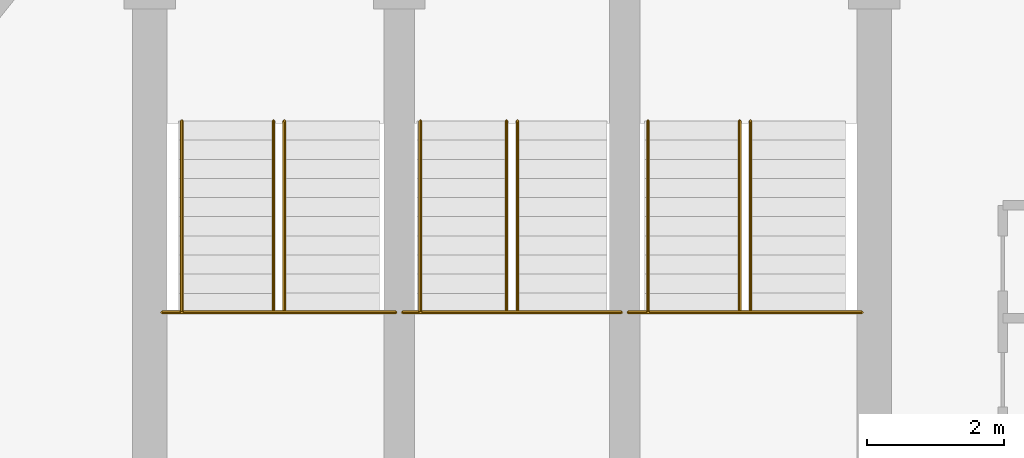
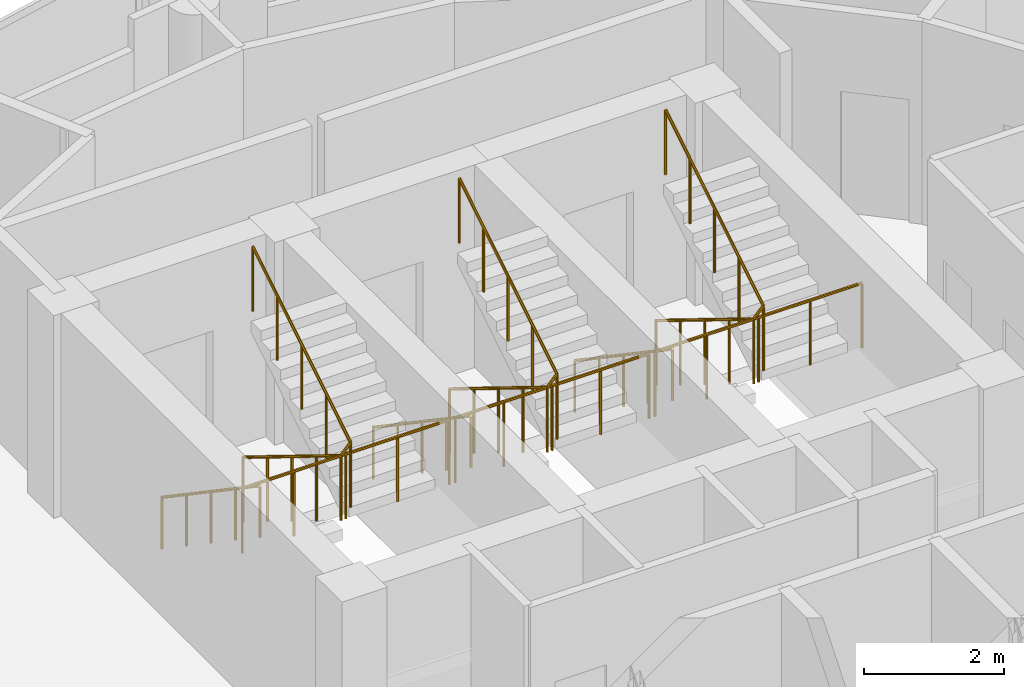
# One storey, part 24 of 24: 9 railings.
"""IFC4 building model written with IfcOpenShell, lengths in metres."""

from ifc_helpers import new_model, si_unit, direction, frame, origin, place, context, subcontext, project, spatial, polyline, outline, extrude, material, type_object, element, save


model = new_model("IFC4")

# Units and contexts
model_context = context("Model", 3, precision=1e-05, world=origin(), true_north=direction((0.0, 1.0)))
body_context = subcontext(model_context, "Body", "Model", "MODEL_VIEW")
ifc_project = project(units=[si_unit("LENGTHUNIT", "METRE"), si_unit("AREAUNIT", "SQUARE_METRE"), si_unit("VOLUMEUNIT", "CUBIC_METRE"), si_unit("PLANEANGLEUNIT", "RADIAN"), si_unit("MASSUNIT", "GRAM", prefix="KILO")], contexts=[model_context])

# Site, building, storey
site_placement = place(None, origin())
site = spatial("IfcSite", under=ifc_project, at=site_placement, CompositionType="ELEMENT")
building_placement = place(site_placement, origin())
building = spatial("IfcBuilding", under=site, at=building_placement, Name="Nuhasar Tower", CompositionType="ELEMENT")
storey_placement = place(building_placement, frame((0.0, 0.0, 259.39990234375)))
storey = spatial("IfcBuildingStorey", under=building, at=storey_placement, Name="L64", CompositionType="ELEMENT", Elevation=259.39990234375)

# Railings
ifc_material_1 = material(Name="Steel S355", Category="steel")
railing_type_1 = type_object("IfcRailingType", Name="RLG-STAIR-GUARD-1150", PredefinedType="GUARDRAIL", material=ifc_material_1)
railing_1_placement = place(storey_placement, frame((33.8798828125, 32.485107421875, 1.900146484375)))
element("IfcRailing", 1, at=railing_1_placement, inside=storey, type_object=railing_type_1, Name="L64 Stair ST-01 Guardrail LND", PredefinedType="GUARDRAIL", context=body_context, shape_type="SweptSolid", body=[
    extrude(outline(polyline([(0.024169921875, 0.0), (0.01708984375, 0.01708984375), (0.0, 0.024169921875), (-0.01708984375, 0.01708984375), (-0.024169921875, 0.0), (-0.01708984375, -0.01708984375), (0.0, -0.024169921875), (0.01708984375, -0.01708984375), (0.024169921875, 0.0)])), frame((0.0, 0.0, 1.1259765625), z_axis=(1.0, 0.0, 0.0), x_axis=(0.0, 1.0, 0.0)), (0.0, 0.0, 1.0), 3.420166015625),
    extrude(outline(polyline([(0.02099609375, 0.0), (0.014892578125, 0.014892578125), (0.0, 0.02099609375), (-0.014892578125, 0.014892578125), (-0.02099609375, 0.0), (-0.014892578125, -0.014892578125), (0.0, -0.02099609375), (0.014892578125, -0.014892578125), (0.02099609375, 0.0)])), origin(), (0.0, 0.0, 1.0), 1.101806640625),
    extrude(outline(polyline([(0.02099609375, 0.0), (0.014892578125, 0.014892578125), (0.0, 0.02099609375), (-0.014892578125, 0.014892578125), (-0.02099609375, 0.0), (-0.014892578125, -0.014892578125), (0.0, -0.02099609375), (0.014892578125, -0.014892578125), (0.02099609375, 0.0)])), frame((0.85498046875, 0.0, 0.0)), (0.0, 0.0, 1.0), 1.101806640625),
    extrude(outline(polyline([(0.02099609375, 0.0), (0.014892578125, 0.014892578125), (0.0, 0.02099609375), (-0.014892578125, 0.014892578125), (-0.02099609375, 0.0), (-0.014892578125, -0.014892578125), (0.0, -0.02099609375), (0.014892578125, -0.014892578125), (0.02099609375, 0.0)])), frame((1.7099609375, 0.0, 0.0)), (0.0, 0.0, 1.0), 1.101806640625),
    extrude(outline(polyline([(0.02099609375, 0.0), (0.014892578125, 0.014892578125), (0.0, 0.02099609375), (-0.014892578125, 0.014892578125), (-0.02099609375, 0.0), (-0.014892578125, -0.014892578125), (0.0, -0.02099609375), (0.014892578125, -0.014892578125), (0.02099609375, 0.0)])), frame((2.565185546875, 0.0, 0.0)), (0.0, 0.0, 1.0), 1.101806640625),
    extrude(outline(polyline([(0.02099609375, 0.0), (0.014892578125, 0.014892578125), (0.0, 0.02099609375), (-0.014892578125, 0.014892578125), (-0.02099609375, 0.0), (-0.014892578125, -0.014892578125), (0.0, -0.02099609375), (0.014892578125, -0.014892578125), (0.02099609375, 0.0)])), frame((3.420166015625, 0.0, 0.0)), (0.0, 0.0, 1.0), 1.101806640625),
])
railing_2_placement = place(storey_placement, frame((35.510009765625, 35.284912109375, 0.173095703125)))
element("IfcRailing", 2, at=railing_2_placement, inside=storey, type_object=railing_type_1, Name="L64 Stair ST-01 Guardrail SLT", PredefinedType="GUARDRAIL", context=body_context, shape_type="SweptSolid", body=[
    extrude(outline(polyline([(0.024169921875, 0.0), (0.01708984375, 0.01708984375), (0.0, 0.024169921875), (-0.01708984375, 0.01708984375), (-0.024169921875, 0.0), (-0.01708984375, -0.01708984375), (0.0, -0.024169921875), (0.01708984375, -0.01708984375), (0.024169921875, 0.0)])), frame((0.0, 0.0, 1.1259765625), z_axis=(0.0, -0.851102337555, 0.524999820009), x_axis=(1.0, 0.0, 0.0)), (0.0, 0.0, 1.0), 3.28955078125),
    extrude(outline(polyline([(0.024169921875, 0.0), (0.01708984375, 0.01708984375), (0.0, 0.024169921875), (-0.01708984375, 0.01708984375), (-0.024169921875, 0.0), (-0.01708984375, -0.01708984375), (0.0, -0.024169921875), (0.01708984375, -0.01708984375), (0.024169921875, 0.0)])), frame((0.0, -2.7998046875, 2.85302734375), z_axis=(0.679097852503, 0.0, 0.734047755072), x_axis=(0.0, 1.0, 0.0)), (0.0, 0.0, 1.0), 0.235595703125),
    extrude(outline(polyline([(0.024169921875, 0.0), (0.01708984375, 0.01708984375), (0.0, 0.024169921875), (-0.01708984375, 0.01708984375), (-0.024169921875, 0.0), (-0.01708984375, -0.01708984375), (0.0, -0.024169921875), (0.01708984375, -0.01708984375), (0.024169921875, 0.0)])), frame((0.159912109375, -2.7998046875, 3.02587890625), z_axis=(0.0, 0.851102337555, 0.524999820009), x_axis=(-1.0, 0.0, 0.0)), (0.0, 0.0, 1.0), 3.28955078125),
    extrude(outline(polyline([(0.02099609375, 0.0), (0.014892578125, 0.014892578125), (0.0, 0.02099609375), (-0.014892578125, 0.014892578125), (-0.02099609375, 0.0), (-0.014892578125, -0.014892578125), (0.0, -0.02099609375), (0.014892578125, -0.014892578125), (0.02099609375, 0.0)])), origin(), (0.0, 0.0, 1.0), 1.101806640625),
    extrude(outline(polyline([(0.02099609375, 0.0), (0.014892578125, 0.014892578125), (0.0, 0.02099609375), (-0.014892578125, 0.014892578125), (-0.02099609375, 0.0), (-0.014892578125, -0.014892578125), (0.0, -0.02099609375), (0.014892578125, -0.014892578125), (0.02099609375, 0.0)])), frame((0.0, -0.699951171875, 0.431640625)), (0.0, 0.0, 1.0), 1.101806640625),
    extrude(outline(polyline([(0.02099609375, 0.0), (0.014892578125, 0.014892578125), (0.0, 0.02099609375), (-0.014892578125, 0.014892578125), (-0.02099609375, 0.0), (-0.014892578125, -0.014892578125), (0.0, -0.02099609375), (0.014892578125, -0.014892578125), (0.02099609375, 0.0)])), frame((0.0, -1.39990234375, 0.863525390625)), (0.0, 0.0, 1.0), 1.101806640625),
    extrude(outline(polyline([(0.02099609375, 0.0), (0.014892578125, 0.014892578125), (0.0, 0.02099609375), (-0.014892578125, 0.014892578125), (-0.02099609375, 0.0), (-0.014892578125, -0.014892578125), (0.0, -0.02099609375), (0.014892578125, -0.014892578125), (0.02099609375, 0.0)])), frame((0.0, -2.099853515625, 1.29541015625)), (0.0, 0.0, 1.0), 1.101806640625),
    extrude(outline(polyline([(0.02099609375, 0.0), (0.014892578125, 0.014892578125), (0.0, 0.02099609375), (-0.014892578125, 0.014892578125), (-0.02099609375, 0.0), (-0.014892578125, -0.014892578125), (0.0, -0.02099609375), (0.014892578125, -0.014892578125), (0.02099609375, 0.0)])), frame((0.0, -2.7998046875, 1.72705078125)), (0.0, 0.0, 1.0), 1.101806640625),
    extrude(outline(polyline([(0.02099609375, 0.0), (0.014892578125, 0.014892578125), (0.0, 0.02099609375), (-0.014892578125, 0.014892578125), (-0.02099609375, 0.0), (-0.014892578125, -0.014892578125), (0.0, -0.02099609375), (0.014892578125, -0.014892578125), (0.02099609375, 0.0)])), frame((0.159912109375, -2.7998046875, 1.89990234375)), (0.0, 0.0, 1.0), 1.101806640625),
    extrude(outline(polyline([(0.02099609375, 0.0), (0.014892578125, 0.014892578125), (0.0, 0.02099609375), (-0.014892578125, 0.014892578125), (-0.02099609375, 0.0), (-0.014892578125, -0.014892578125), (0.0, -0.02099609375), (0.014892578125, -0.014892578125), (0.02099609375, 0.0)])), frame((0.159912109375, -2.099853515625, 2.33154296875)), (0.0, 0.0, 1.0), 1.101806640625),
    extrude(outline(polyline([(0.02099609375, 0.0), (0.014892578125, 0.014892578125), (0.0, 0.02099609375), (-0.014892578125, 0.014892578125), (-0.02099609375, 0.0), (-0.014892578125, -0.014892578125), (0.0, -0.02099609375), (0.014892578125, -0.014892578125), (0.02099609375, 0.0)])), frame((0.159912109375, -1.39990234375, 2.763427734375)), (0.0, 0.0, 1.0), 1.101806640625),
    extrude(outline(polyline([(0.02099609375, 0.0), (0.014892578125, 0.014892578125), (0.0, 0.02099609375), (-0.014892578125, 0.014892578125), (-0.02099609375, 0.0), (-0.014892578125, -0.014892578125), (0.0, -0.02099609375), (0.014892578125, -0.014892578125), (0.02099609375, 0.0)])), frame((0.159912109375, -0.699951171875, 3.1953125)), (0.0, 0.0, 1.0), 1.101806640625),
    extrude(outline(polyline([(0.02099609375, 0.0), (0.014892578125, 0.014892578125), (0.0, 0.02099609375), (-0.014892578125, 0.014892578125), (-0.02099609375, 0.0), (-0.014892578125, -0.014892578125), (0.0, -0.02099609375), (0.014892578125, -0.014892578125), (0.02099609375, 0.0)])), frame((0.159912109375, 0.0, 3.626953125)), (0.0, 0.0, 1.0), 1.101806640625),
])
railing_3_placement = place(storey_placement, frame((37.39990234375, 32.485107421875, 1.900146484375)))
element("IfcRailing", 3, at=railing_3_placement, inside=storey, type_object=railing_type_1, Name="L64 Stair ST-03 Guardrail LND", PredefinedType="GUARDRAIL", context=body_context, shape_type="SweptSolid", body=[
    extrude(outline(polyline([(0.024169921875, 0.0), (0.01708984375, 0.01708984375), (0.0, 0.024169921875), (-0.01708984375, 0.01708984375), (-0.024169921875, 0.0), (-0.01708984375, -0.01708984375), (0.0, -0.024169921875), (0.01708984375, -0.01708984375), (0.024169921875, 0.0)])), frame((0.0, 0.0, 1.1259765625), z_axis=(1.0, 0.0, 0.0), x_axis=(0.0, 1.0, 0.0)), (0.0, 0.0, 1.0), 3.2001953125),
    extrude(outline(polyline([(0.02099609375, 0.0), (0.014892578125, 0.014892578125), (0.0, 0.02099609375), (-0.014892578125, 0.014892578125), (-0.02099609375, 0.0), (-0.014892578125, -0.014892578125), (0.0, -0.02099609375), (0.014892578125, -0.014892578125), (0.02099609375, 0.0)])), origin(), (0.0, 0.0, 1.0), 1.101806640625),
    extrude(outline(polyline([(0.02099609375, 0.0), (0.014892578125, 0.014892578125), (0.0, 0.02099609375), (-0.014892578125, 0.014892578125), (-0.02099609375, 0.0), (-0.014892578125, -0.014892578125), (0.0, -0.02099609375), (0.014892578125, -0.014892578125), (0.02099609375, 0.0)])), frame((0.800048828125, 0.0, 0.0)), (0.0, 0.0, 1.0), 1.101806640625),
    extrude(outline(polyline([(0.02099609375, 0.0), (0.014892578125, 0.014892578125), (0.0, 0.02099609375), (-0.014892578125, 0.014892578125), (-0.02099609375, 0.0), (-0.014892578125, -0.014892578125), (0.0, -0.02099609375), (0.014892578125, -0.014892578125), (0.02099609375, 0.0)])), frame((1.60009765625, 0.0, 0.0)), (0.0, 0.0, 1.0), 1.101806640625),
    extrude(outline(polyline([(0.02099609375, 0.0), (0.014892578125, 0.014892578125), (0.0, 0.02099609375), (-0.014892578125, 0.014892578125), (-0.02099609375, 0.0), (-0.014892578125, -0.014892578125), (0.0, -0.02099609375), (0.014892578125, -0.014892578125), (0.02099609375, 0.0)])), frame((2.400146484375, 0.0, 0.0)), (0.0, 0.0, 1.0), 1.101806640625),
    extrude(outline(polyline([(0.02099609375, 0.0), (0.014892578125, 0.014892578125), (0.0, 0.02099609375), (-0.014892578125, 0.014892578125), (-0.02099609375, 0.0), (-0.014892578125, -0.014892578125), (0.0, -0.02099609375), (0.014892578125, -0.014892578125), (0.02099609375, 0.0)])), frame((3.2001953125, 0.0, 0.0)), (0.0, 0.0, 1.0), 1.101806640625),
])
railing_4_placement = place(storey_placement, frame((38.919921875, 35.284912109375, 0.173095703125)))
element("IfcRailing", 4, at=railing_4_placement, inside=storey, type_object=railing_type_1, Name="L64 Stair ST-03 Guardrail SLT", PredefinedType="GUARDRAIL", context=body_context, shape_type="SweptSolid", body=[
    extrude(outline(polyline([(0.024169921875, 0.0), (0.01708984375, 0.01708984375), (0.0, 0.024169921875), (-0.01708984375, 0.01708984375), (-0.024169921875, 0.0), (-0.01708984375, -0.01708984375), (0.0, -0.024169921875), (0.01708984375, -0.01708984375), (0.024169921875, 0.0)])), frame((0.0, 0.0, 1.1259765625), z_axis=(0.0, -0.851102337555, 0.524999820009), x_axis=(1.0, 0.0, 0.0)), (0.0, 0.0, 1.0), 3.28955078125),
    extrude(outline(polyline([(0.024169921875, 0.0), (0.01708984375, 0.01708984375), (0.0, 0.024169921875), (-0.01708984375, 0.01708984375), (-0.024169921875, 0.0), (-0.01708984375, -0.01708984375), (0.0, -0.024169921875), (0.01708984375, -0.01708984375), (0.024169921875, 0.0)])), frame((0.0, -2.7998046875, 2.85302734375), z_axis=(0.679655912742, 0.0, 0.733531076557), x_axis=(0.0, 1.0, 0.0)), (0.0, 0.0, 1.0), 0.235595703125),
    extrude(outline(polyline([(0.024169921875, 0.0), (0.01708984375, 0.01708984375), (0.0, 0.024169921875), (-0.01708984375, 0.01708984375), (-0.024169921875, 0.0), (-0.01708984375, -0.01708984375), (0.0, -0.024169921875), (0.01708984375, -0.01708984375), (0.024169921875, 0.0)])), frame((0.16015625, -2.7998046875, 3.02587890625), z_axis=(0.0, 0.851102337555, 0.524999820009), x_axis=(-1.0, 0.0, 0.0)), (0.0, 0.0, 1.0), 3.28955078125),
    extrude(outline(polyline([(0.02099609375, 0.0), (0.014892578125, 0.014892578125), (0.0, 0.02099609375), (-0.014892578125, 0.014892578125), (-0.02099609375, 0.0), (-0.014892578125, -0.014892578125), (0.0, -0.02099609375), (0.014892578125, -0.014892578125), (0.02099609375, 0.0)])), origin(), (0.0, 0.0, 1.0), 1.101806640625),
    extrude(outline(polyline([(0.02099609375, 0.0), (0.014892578125, 0.014892578125), (0.0, 0.02099609375), (-0.014892578125, 0.014892578125), (-0.02099609375, 0.0), (-0.014892578125, -0.014892578125), (0.0, -0.02099609375), (0.014892578125, -0.014892578125), (0.02099609375, 0.0)])), frame((0.0, -0.699951171875, 0.431640625)), (0.0, 0.0, 1.0), 1.101806640625),
    extrude(outline(polyline([(0.02099609375, 0.0), (0.014892578125, 0.014892578125), (0.0, 0.02099609375), (-0.014892578125, 0.014892578125), (-0.02099609375, 0.0), (-0.014892578125, -0.014892578125), (0.0, -0.02099609375), (0.014892578125, -0.014892578125), (0.02099609375, 0.0)])), frame((0.0, -1.39990234375, 0.863525390625)), (0.0, 0.0, 1.0), 1.101806640625),
    extrude(outline(polyline([(0.02099609375, 0.0), (0.014892578125, 0.014892578125), (0.0, 0.02099609375), (-0.014892578125, 0.014892578125), (-0.02099609375, 0.0), (-0.014892578125, -0.014892578125), (0.0, -0.02099609375), (0.014892578125, -0.014892578125), (0.02099609375, 0.0)])), frame((0.0, -2.099853515625, 1.29541015625)), (0.0, 0.0, 1.0), 1.101806640625),
    extrude(outline(polyline([(0.02099609375, 0.0), (0.014892578125, 0.014892578125), (0.0, 0.02099609375), (-0.014892578125, 0.014892578125), (-0.02099609375, 0.0), (-0.014892578125, -0.014892578125), (0.0, -0.02099609375), (0.014892578125, -0.014892578125), (0.02099609375, 0.0)])), frame((0.0, -2.7998046875, 1.72705078125)), (0.0, 0.0, 1.0), 1.101806640625),
    extrude(outline(polyline([(0.02099609375, 0.0), (0.014892578125, 0.014892578125), (0.0, 0.02099609375), (-0.014892578125, 0.014892578125), (-0.02099609375, 0.0), (-0.014892578125, -0.014892578125), (0.0, -0.02099609375), (0.014892578125, -0.014892578125), (0.02099609375, 0.0)])), frame((0.16015625, -2.7998046875, 1.89990234375)), (0.0, 0.0, 1.0), 1.101806640625),
    extrude(outline(polyline([(0.02099609375, 0.0), (0.014892578125, 0.014892578125), (0.0, 0.02099609375), (-0.014892578125, 0.014892578125), (-0.02099609375, 0.0), (-0.014892578125, -0.014892578125), (0.0, -0.02099609375), (0.014892578125, -0.014892578125), (0.02099609375, 0.0)])), frame((0.16015625, -2.099853515625, 2.33154296875)), (0.0, 0.0, 1.0), 1.101806640625),
    extrude(outline(polyline([(0.02099609375, 0.0), (0.014892578125, 0.014892578125), (0.0, 0.02099609375), (-0.014892578125, 0.014892578125), (-0.02099609375, 0.0), (-0.014892578125, -0.014892578125), (0.0, -0.02099609375), (0.014892578125, -0.014892578125), (0.02099609375, 0.0)])), frame((0.16015625, -1.39990234375, 2.763427734375)), (0.0, 0.0, 1.0), 1.101806640625),
    extrude(outline(polyline([(0.02099609375, 0.0), (0.014892578125, 0.014892578125), (0.0, 0.02099609375), (-0.014892578125, 0.014892578125), (-0.02099609375, 0.0), (-0.014892578125, -0.014892578125), (0.0, -0.02099609375), (0.014892578125, -0.014892578125), (0.02099609375, 0.0)])), frame((0.16015625, -0.699951171875, 3.1953125)), (0.0, 0.0, 1.0), 1.101806640625),
    extrude(outline(polyline([(0.02099609375, 0.0), (0.014892578125, 0.014892578125), (0.0, 0.02099609375), (-0.014892578125, 0.014892578125), (-0.02099609375, 0.0), (-0.014892578125, -0.014892578125), (0.0, -0.02099609375), (0.014892578125, -0.014892578125), (0.02099609375, 0.0)])), frame((0.16015625, 0.0, 3.626953125)), (0.0, 0.0, 1.0), 1.101806640625),
])
railing_5_placement = place(storey_placement, frame((40.699951171875, 32.485107421875, 1.900146484375)))
element("IfcRailing", 5, at=railing_5_placement, inside=storey, type_object=railing_type_1, Name="L64 Stair ST-02 Guardrail LND", PredefinedType="GUARDRAIL", context=body_context, shape_type="SweptSolid", body=[
    extrude(outline(polyline([(0.024169921875, 0.0), (0.01708984375, 0.01708984375), (0.0, 0.024169921875), (-0.01708984375, 0.01708984375), (-0.024169921875, 0.0), (-0.01708984375, -0.01708984375), (0.0, -0.024169921875), (0.01708984375, -0.01708984375), (0.024169921875, 0.0)])), frame((0.0, 0.0, 1.1259765625), z_axis=(1.0, 0.0, 0.0), x_axis=(0.0, 1.0, 0.0)), (0.0, 0.0, 1.0), 3.420166015625),
    extrude(outline(polyline([(0.02099609375, 0.0), (0.014892578125, 0.014892578125), (0.0, 0.02099609375), (-0.014892578125, 0.014892578125), (-0.02099609375, 0.0), (-0.014892578125, -0.014892578125), (0.0, -0.02099609375), (0.014892578125, -0.014892578125), (0.02099609375, 0.0)])), origin(), (0.0, 0.0, 1.0), 1.101806640625),
    extrude(outline(polyline([(0.02099609375, 0.0), (0.014892578125, 0.014892578125), (0.0, 0.02099609375), (-0.014892578125, 0.014892578125), (-0.02099609375, 0.0), (-0.014892578125, -0.014892578125), (0.0, -0.02099609375), (0.014892578125, -0.014892578125), (0.02099609375, 0.0)])), frame((0.85498046875, 0.0, 0.0)), (0.0, 0.0, 1.0), 1.101806640625),
    extrude(outline(polyline([(0.02099609375, 0.0), (0.014892578125, 0.014892578125), (0.0, 0.02099609375), (-0.014892578125, 0.014892578125), (-0.02099609375, 0.0), (-0.014892578125, -0.014892578125), (0.0, -0.02099609375), (0.014892578125, -0.014892578125), (0.02099609375, 0.0)])), frame((1.7099609375, 0.0, 0.0)), (0.0, 0.0, 1.0), 1.101806640625),
    extrude(outline(polyline([(0.02099609375, 0.0), (0.014892578125, 0.014892578125), (0.0, 0.02099609375), (-0.014892578125, 0.014892578125), (-0.02099609375, 0.0), (-0.014892578125, -0.014892578125), (0.0, -0.02099609375), (0.014892578125, -0.014892578125), (0.02099609375, 0.0)])), frame((2.565185546875, 0.0, 0.0)), (0.0, 0.0, 1.0), 1.101806640625),
    extrude(outline(polyline([(0.02099609375, 0.0), (0.014892578125, 0.014892578125), (0.0, 0.02099609375), (-0.014892578125, 0.014892578125), (-0.02099609375, 0.0), (-0.014892578125, -0.014892578125), (0.0, -0.02099609375), (0.014892578125, -0.014892578125), (0.02099609375, 0.0)])), frame((3.420166015625, 0.0, 0.0)), (0.0, 0.0, 1.0), 1.101806640625),
])
railing_6_placement = place(storey_placement, frame((42.330078125, 35.284912109375, 0.173095703125)))
element("IfcRailing", 6, at=railing_6_placement, inside=storey, type_object=railing_type_1, Name="L64 Stair ST-02 Guardrail SLT", PredefinedType="GUARDRAIL", context=body_context, shape_type="SweptSolid", body=[
    extrude(outline(polyline([(0.024169921875, 0.0), (0.01708984375, 0.01708984375), (0.0, 0.024169921875), (-0.01708984375, 0.01708984375), (-0.024169921875, 0.0), (-0.01708984375, -0.01708984375), (0.0, -0.024169921875), (0.01708984375, -0.01708984375), (0.024169921875, 0.0)])), frame((0.0, 0.0, 1.1259765625), z_axis=(0.0, -0.851102337555, 0.524999820009), x_axis=(1.0, 0.0, 0.0)), (0.0, 0.0, 1.0), 3.28955078125),
    extrude(outline(polyline([(0.024169921875, 0.0), (0.01708984375, 0.01708984375), (0.0, 0.024169921875), (-0.01708984375, 0.01708984375), (-0.024169921875, 0.0), (-0.01708984375, -0.01708984375), (0.0, -0.024169921875), (0.01708984375, -0.01708984375), (0.024169921875, 0.0)])), frame((0.0, -2.7998046875, 2.85302734375), z_axis=(0.679097852503, 0.0, 0.734047755072), x_axis=(0.0, 1.0, 0.0)), (0.0, 0.0, 1.0), 0.235595703125),
    extrude(outline(polyline([(0.024169921875, 0.0), (0.01708984375, 0.01708984375), (0.0, 0.024169921875), (-0.01708984375, 0.01708984375), (-0.024169921875, 0.0), (-0.01708984375, -0.01708984375), (0.0, -0.024169921875), (0.01708984375, -0.01708984375), (0.024169921875, 0.0)])), frame((0.159912109375, -2.7998046875, 3.02587890625), z_axis=(0.0, 0.851102337555, 0.524999820009), x_axis=(-1.0, 0.0, 0.0)), (0.0, 0.0, 1.0), 3.28955078125),
    extrude(outline(polyline([(0.02099609375, 0.0), (0.014892578125, 0.014892578125), (0.0, 0.02099609375), (-0.014892578125, 0.014892578125), (-0.02099609375, 0.0), (-0.014892578125, -0.014892578125), (0.0, -0.02099609375), (0.014892578125, -0.014892578125), (0.02099609375, 0.0)])), origin(), (0.0, 0.0, 1.0), 1.101806640625),
    extrude(outline(polyline([(0.02099609375, 0.0), (0.014892578125, 0.014892578125), (0.0, 0.02099609375), (-0.014892578125, 0.014892578125), (-0.02099609375, 0.0), (-0.014892578125, -0.014892578125), (0.0, -0.02099609375), (0.014892578125, -0.014892578125), (0.02099609375, 0.0)])), frame((0.0, -0.699951171875, 0.431640625)), (0.0, 0.0, 1.0), 1.101806640625),
    extrude(outline(polyline([(0.02099609375, 0.0), (0.014892578125, 0.014892578125), (0.0, 0.02099609375), (-0.014892578125, 0.014892578125), (-0.02099609375, 0.0), (-0.014892578125, -0.014892578125), (0.0, -0.02099609375), (0.014892578125, -0.014892578125), (0.02099609375, 0.0)])), frame((0.0, -1.39990234375, 0.863525390625)), (0.0, 0.0, 1.0), 1.101806640625),
    extrude(outline(polyline([(0.02099609375, 0.0), (0.014892578125, 0.014892578125), (0.0, 0.02099609375), (-0.014892578125, 0.014892578125), (-0.02099609375, 0.0), (-0.014892578125, -0.014892578125), (0.0, -0.02099609375), (0.014892578125, -0.014892578125), (0.02099609375, 0.0)])), frame((0.0, -2.099853515625, 1.29541015625)), (0.0, 0.0, 1.0), 1.101806640625),
    extrude(outline(polyline([(0.02099609375, 0.0), (0.014892578125, 0.014892578125), (0.0, 0.02099609375), (-0.014892578125, 0.014892578125), (-0.02099609375, 0.0), (-0.014892578125, -0.014892578125), (0.0, -0.02099609375), (0.014892578125, -0.014892578125), (0.02099609375, 0.0)])), frame((0.0, -2.7998046875, 1.72705078125)), (0.0, 0.0, 1.0), 1.101806640625),
    extrude(outline(polyline([(0.02099609375, 0.0), (0.014892578125, 0.014892578125), (0.0, 0.02099609375), (-0.014892578125, 0.014892578125), (-0.02099609375, 0.0), (-0.014892578125, -0.014892578125), (0.0, -0.02099609375), (0.014892578125, -0.014892578125), (0.02099609375, 0.0)])), frame((0.159912109375, -2.7998046875, 1.89990234375)), (0.0, 0.0, 1.0), 1.101806640625),
    extrude(outline(polyline([(0.02099609375, 0.0), (0.014892578125, 0.014892578125), (0.0, 0.02099609375), (-0.014892578125, 0.014892578125), (-0.02099609375, 0.0), (-0.014892578125, -0.014892578125), (0.0, -0.02099609375), (0.014892578125, -0.014892578125), (0.02099609375, 0.0)])), frame((0.159912109375, -2.099853515625, 2.33154296875)), (0.0, 0.0, 1.0), 1.101806640625),
    extrude(outline(polyline([(0.02099609375, 0.0), (0.014892578125, 0.014892578125), (0.0, 0.02099609375), (-0.014892578125, 0.014892578125), (-0.02099609375, 0.0), (-0.014892578125, -0.014892578125), (0.0, -0.02099609375), (0.014892578125, -0.014892578125), (0.02099609375, 0.0)])), frame((0.159912109375, -1.39990234375, 2.763427734375)), (0.0, 0.0, 1.0), 1.101806640625),
    extrude(outline(polyline([(0.02099609375, 0.0), (0.014892578125, 0.014892578125), (0.0, 0.02099609375), (-0.014892578125, 0.014892578125), (-0.02099609375, 0.0), (-0.014892578125, -0.014892578125), (0.0, -0.02099609375), (0.014892578125, -0.014892578125), (0.02099609375, 0.0)])), frame((0.159912109375, -0.699951171875, 3.1953125)), (0.0, 0.0, 1.0), 1.101806640625),
    extrude(outline(polyline([(0.02099609375, 0.0), (0.014892578125, 0.014892578125), (0.0, 0.02099609375), (-0.014892578125, 0.014892578125), (-0.02099609375, 0.0), (-0.014892578125, -0.014892578125), (0.0, -0.02099609375), (0.014892578125, -0.014892578125), (0.02099609375, 0.0)])), frame((0.159912109375, 0.0, 3.626953125)), (0.0, 0.0, 1.0), 1.101806640625),
])
ifc_material_2 = material(Name="Stainless Steel 316L", Category="steel")
railing_type_2 = type_object("IfcRailingType", Name="RLG-STAIR-HAND-920", PredefinedType="HANDRAIL", material=ifc_material_2)
railing_7_placement = place(storey_placement, frame((34.169921875, 35.284912109375, 0.173095703125)))
element("IfcRailing", 7, at=railing_7_placement, inside=storey, type_object=railing_type_2, Name="L64 Stair ST-01 Handrail HND1", PredefinedType="HANDRAIL", context=body_context, shape_type="SweptSolid", body=[
    extrude(outline(polyline([(0.024169921875, 0.0), (0.01708984375, 0.01708984375), (0.0, 0.024169921875), (-0.01708984375, 0.01708984375), (-0.024169921875, 0.0), (-0.01708984375, -0.01708984375), (0.0, -0.024169921875), (0.01708984375, -0.01708984375), (0.024169921875, 0.0)])), frame((0.0, 0.0, 0.89599609375), z_axis=(0.0, -0.827470985049, 0.561508476251), x_axis=(1.0, 0.0, 0.0)), (0.0, 0.0, 1.0), 3.383544921875),
    extrude(outline(polyline([(0.02099609375, 0.0), (0.014892578125, 0.014892578125), (0.0, 0.02099609375), (-0.014892578125, 0.014892578125), (-0.02099609375, 0.0), (-0.014892578125, -0.014892578125), (0.0, -0.02099609375), (0.014892578125, -0.014892578125), (0.02099609375, 0.0)])), origin(), (0.0, 0.0, 1.0), 0.871826171875),
    extrude(outline(polyline([(0.02099609375, 0.0), (0.014892578125, 0.014892578125), (0.0, 0.02099609375), (-0.014892578125, 0.014892578125), (-0.02099609375, 0.0), (-0.014892578125, -0.014892578125), (0.0, -0.02099609375), (0.014892578125, -0.014892578125), (0.02099609375, 0.0)])), frame((0.0, -0.699951171875, 0.47509765625)), (0.0, 0.0, 1.0), 0.871826171875),
    extrude(outline(polyline([(0.02099609375, 0.0), (0.014892578125, 0.014892578125), (0.0, 0.02099609375), (-0.014892578125, 0.014892578125), (-0.02099609375, 0.0), (-0.014892578125, -0.014892578125), (0.0, -0.02099609375), (0.014892578125, -0.014892578125), (0.02099609375, 0.0)])), frame((0.0, -1.39990234375, 0.949951171875)), (0.0, 0.0, 1.0), 0.871826171875),
    extrude(outline(polyline([(0.02099609375, 0.0), (0.014892578125, 0.014892578125), (0.0, 0.02099609375), (-0.014892578125, 0.014892578125), (-0.02099609375, 0.0), (-0.014892578125, -0.014892578125), (0.0, -0.02099609375), (0.014892578125, -0.014892578125), (0.02099609375, 0.0)])), frame((0.0, -2.099853515625, 1.4248046875)), (0.0, 0.0, 1.0), 0.871826171875),
    extrude(outline(polyline([(0.02099609375, 0.0), (0.014892578125, 0.014892578125), (0.0, 0.02099609375), (-0.014892578125, 0.014892578125), (-0.02099609375, 0.0), (-0.014892578125, -0.014892578125), (0.0, -0.02099609375), (0.014892578125, -0.014892578125), (0.02099609375, 0.0)])), frame((0.0, -2.7998046875, 1.89990234375)), (0.0, 0.0, 1.0), 0.871826171875),
])
railing_8_placement = place(storey_placement, frame((37.659912109375, 35.284912109375, 0.173095703125)))
element("IfcRailing", 8, at=railing_8_placement, inside=storey, type_object=railing_type_2, Name="L64 Stair ST-03 Handrail HND1", PredefinedType="HANDRAIL", context=body_context, shape_type="SweptSolid", body=[
    extrude(outline(polyline([(0.024169921875, 0.0), (0.01708984375, 0.01708984375), (0.0, 0.024169921875), (-0.01708984375, 0.01708984375), (-0.024169921875, 0.0), (-0.01708984375, -0.01708984375), (0.0, -0.024169921875), (0.01708984375, -0.01708984375), (0.024169921875, 0.0)])), frame((0.0, 0.0, 0.89599609375), z_axis=(0.0, -0.827470985049, 0.561508476251), x_axis=(1.0, 0.0, 0.0)), (0.0, 0.0, 1.0), 3.383544921875),
    extrude(outline(polyline([(0.02099609375, 0.0), (0.014892578125, 0.014892578125), (0.0, 0.02099609375), (-0.014892578125, 0.014892578125), (-0.02099609375, 0.0), (-0.014892578125, -0.014892578125), (0.0, -0.02099609375), (0.014892578125, -0.014892578125), (0.02099609375, 0.0)])), origin(), (0.0, 0.0, 1.0), 0.871826171875),
    extrude(outline(polyline([(0.02099609375, 0.0), (0.014892578125, 0.014892578125), (0.0, 0.02099609375), (-0.014892578125, 0.014892578125), (-0.02099609375, 0.0), (-0.014892578125, -0.014892578125), (0.0, -0.02099609375), (0.014892578125, -0.014892578125), (0.02099609375, 0.0)])), frame((0.0, -0.699951171875, 0.47509765625)), (0.0, 0.0, 1.0), 0.871826171875),
    extrude(outline(polyline([(0.02099609375, 0.0), (0.014892578125, 0.014892578125), (0.0, 0.02099609375), (-0.014892578125, 0.014892578125), (-0.02099609375, 0.0), (-0.014892578125, -0.014892578125), (0.0, -0.02099609375), (0.014892578125, -0.014892578125), (0.02099609375, 0.0)])), frame((0.0, -1.39990234375, 0.949951171875)), (0.0, 0.0, 1.0), 0.871826171875),
    extrude(outline(polyline([(0.02099609375, 0.0), (0.014892578125, 0.014892578125), (0.0, 0.02099609375), (-0.014892578125, 0.014892578125), (-0.02099609375, 0.0), (-0.014892578125, -0.014892578125), (0.0, -0.02099609375), (0.014892578125, -0.014892578125), (0.02099609375, 0.0)])), frame((0.0, -2.099853515625, 1.4248046875)), (0.0, 0.0, 1.0), 0.871826171875),
    extrude(outline(polyline([(0.02099609375, 0.0), (0.014892578125, 0.014892578125), (0.0, 0.02099609375), (-0.014892578125, 0.014892578125), (-0.02099609375, 0.0), (-0.014892578125, -0.014892578125), (0.0, -0.02099609375), (0.014892578125, -0.014892578125), (0.02099609375, 0.0)])), frame((0.0, -2.7998046875, 1.89990234375)), (0.0, 0.0, 1.0), 0.871826171875),
])
railing_9_placement = place(storey_placement, frame((40.989990234375, 35.284912109375, 0.173095703125)))
element("IfcRailing", 9, at=railing_9_placement, inside=storey, type_object=railing_type_2, Name="L64 Stair ST-02 Handrail HND1", PredefinedType="HANDRAIL", context=body_context, shape_type="SweptSolid", body=[
    extrude(outline(polyline([(0.024169921875, 0.0), (0.01708984375, 0.01708984375), (0.0, 0.024169921875), (-0.01708984375, 0.01708984375), (-0.024169921875, 0.0), (-0.01708984375, -0.01708984375), (0.0, -0.024169921875), (0.01708984375, -0.01708984375), (0.024169921875, 0.0)])), frame((0.0, 0.0, 0.89599609375), z_axis=(0.0, -0.827470985049, 0.561508476251), x_axis=(1.0, 0.0, 0.0)), (0.0, 0.0, 1.0), 3.383544921875),
    extrude(outline(polyline([(0.02099609375, 0.0), (0.014892578125, 0.014892578125), (0.0, 0.02099609375), (-0.014892578125, 0.014892578125), (-0.02099609375, 0.0), (-0.014892578125, -0.014892578125), (0.0, -0.02099609375), (0.014892578125, -0.014892578125), (0.02099609375, 0.0)])), origin(), (0.0, 0.0, 1.0), 0.871826171875),
    extrude(outline(polyline([(0.02099609375, 0.0), (0.014892578125, 0.014892578125), (0.0, 0.02099609375), (-0.014892578125, 0.014892578125), (-0.02099609375, 0.0), (-0.014892578125, -0.014892578125), (0.0, -0.02099609375), (0.014892578125, -0.014892578125), (0.02099609375, 0.0)])), frame((0.0, -0.699951171875, 0.47509765625)), (0.0, 0.0, 1.0), 0.871826171875),
    extrude(outline(polyline([(0.02099609375, 0.0), (0.014892578125, 0.014892578125), (0.0, 0.02099609375), (-0.014892578125, 0.014892578125), (-0.02099609375, 0.0), (-0.014892578125, -0.014892578125), (0.0, -0.02099609375), (0.014892578125, -0.014892578125), (0.02099609375, 0.0)])), frame((0.0, -1.39990234375, 0.949951171875)), (0.0, 0.0, 1.0), 0.871826171875),
    extrude(outline(polyline([(0.02099609375, 0.0), (0.014892578125, 0.014892578125), (0.0, 0.02099609375), (-0.014892578125, 0.014892578125), (-0.02099609375, 0.0), (-0.014892578125, -0.014892578125), (0.0, -0.02099609375), (0.014892578125, -0.014892578125), (0.02099609375, 0.0)])), frame((0.0, -2.099853515625, 1.4248046875)), (0.0, 0.0, 1.0), 0.871826171875),
    extrude(outline(polyline([(0.02099609375, 0.0), (0.014892578125, 0.014892578125), (0.0, 0.02099609375), (-0.014892578125, 0.014892578125), (-0.02099609375, 0.0), (-0.014892578125, -0.014892578125), (0.0, -0.02099609375), (0.014892578125, -0.014892578125), (0.02099609375, 0.0)])), frame((0.0, -2.7998046875, 1.89990234375)), (0.0, 0.0, 1.0), 0.871826171875),
])

save(model, "model.ifc")
